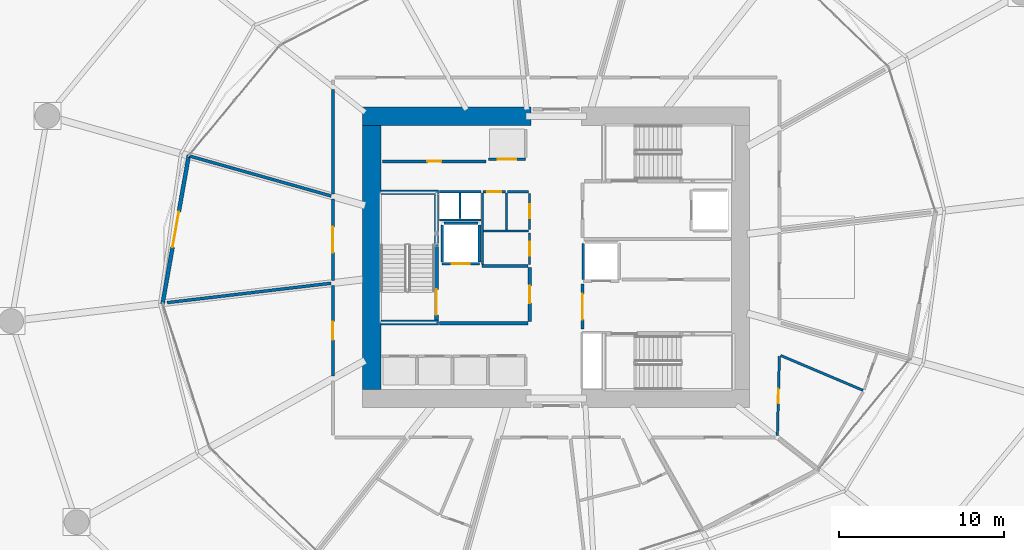
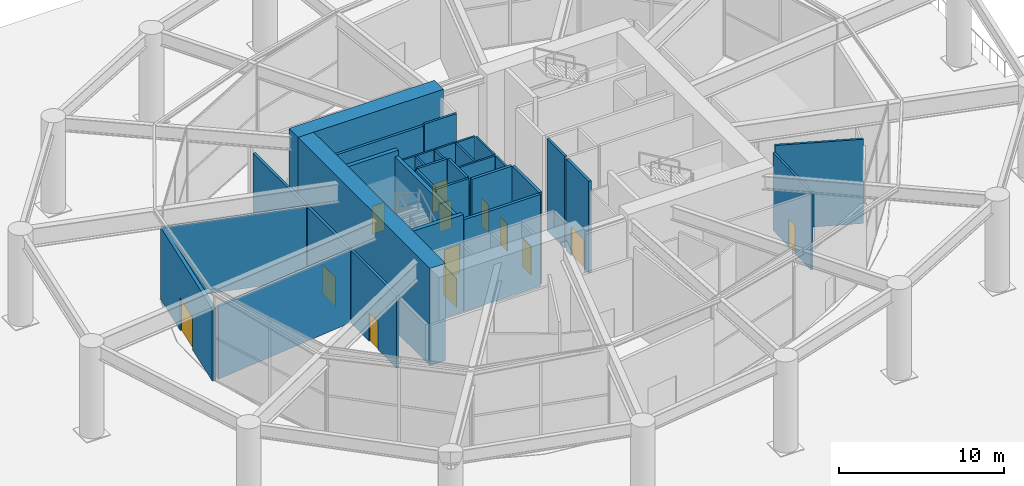
# One storey, part 22 of 28: 34 walls, 13 doors, 13 openings.
"""IFC4 building model written with IfcOpenShell, lengths in metres."""

from ifc_helpers import new_model, si_unit, direction, frame, frame_2d, origin, place, context, subcontext, project, spatial, rectangle, extrude, material, layer, layer_set, type_object, element, fill, save


model = new_model("IFC4")

# Units and contexts
model_context = context("Model", 3, precision=1e-05, world=origin(), true_north=direction((0.0, 1.0)))
body_context = subcontext(model_context, "Body", "Model", "MODEL_VIEW")
ifc_project = project(units=[si_unit("LENGTHUNIT", "METRE"), si_unit("AREAUNIT", "SQUARE_METRE"), si_unit("VOLUMEUNIT", "CUBIC_METRE"), si_unit("PLANEANGLEUNIT", "RADIAN"), si_unit("MASSUNIT", "GRAM", prefix="KILO")], contexts=[model_context])

# Site, building, storey
site_placement = place(None, origin())
site = spatial("IfcSite", under=ifc_project, at=site_placement, CompositionType="ELEMENT")
building_placement = place(site_placement, origin())
building = spatial("IfcBuilding", under=site, at=building_placement, Name="Kazma Halo Residences", CompositionType="ELEMENT")
storey_placement = place(building_placement, origin())
storey = spatial("IfcBuildingStorey", under=building, at=storey_placement, Name="L00", CompositionType="ELEMENT", Elevation=0.0)

# Walls
ifc_material_1 = material(Name="Concrete C80/95", Category="concrete")
ifc_layer_1 = layer(ifc_material_1, 1.10009765625)
ifc_layer_set_1 = layer_set([ifc_layer_1], Name="Concrete C80/95")
wall_type_1 = type_object("IfcWallType", Name="WL-CORE-1100", PredefinedType="SHEAR", material=ifc_layer_set_1)
wall_1_placement = place(storey_placement, frame((36.699951171875, 50.550048828125, 0.0), z_axis=(0.0, 0.0, 1.0), x_axis=(1.0, 0.0, 0.0)))
element("IfcWall", 1, at=wall_1_placement, inside=storey, type_object=wall_type_1, Name="L00 central core shear wall NW", PredefinedType="SHEAR", context=body_context, shape_type="SweptSolid", body=[
    extrude(rectangle(XDim=10.199951171875, YDim=1.10009765625, at=frame_2d((5.10009765625, 0.0))), origin(), (0.0, 0.0, 1.0), 7.199951171875),
])
wall_2_placement = place(storey_placement, frame((37.25, 34.0, 0.0), z_axis=(0.0, 0.0, 1.0), x_axis=(0.0, 1.0, 0.0)))
element("IfcWall", 2, at=wall_2_placement, inside=storey, type_object=wall_type_1, Name="L00 central core shear wall W", PredefinedType="SHEAR", context=body_context, shape_type="SweptSolid", body=[
    extrude(rectangle(XDim=16.0, YDim=1.10009765625, at=frame_2d((8.0, 0.0))), origin(), (0.0, 0.0, 1.0), 7.199951171875),
])
ifc_material_2 = material(Name="Concrete C60/75", Category="concrete")
ifc_layer_2 = layer(ifc_material_2, 0.280029296875)
ifc_layer_set_2 = layer_set([ifc_layer_2], Name="Concrete C60/75")
wall_type_2 = type_object("IfcWallType", Name="WL-CORE-ST-280", PredefinedType="SHEAR", material=ifc_layer_set_2)
for number, where, z_axis, x_axis, name in (
    (3, (37.800048828125, 38.06005859375, 0.0), (0.0, 0.0, 1.0), (1.0, 0.0, 0.0), "L00 stairwell bearing wall ST01-S"),
    (4, (37.800048828125, 45.93994140625, 0.0), (0.0, 0.0, 1.0), (1.0, 0.0, 0.0), "L00 stairwell bearing wall ST01-N"),
):
    element("IfcWall", number, at=place(storey_placement, frame(where, z_axis=z_axis, x_axis=x_axis)), inside=storey, type_object=wall_type_2, Name=name, PredefinedType="SHEAR", context=body_context, shape_type="SweptSolid", body=[
        extrude(rectangle(XDim=3.5, YDim=0.280029296875, at=frame_2d((1.75, 0.0))), origin(), (0.0, 0.0, 1.0), 7.199951171875),
    ])
ifc_material_3 = material(Name="Acoustic Twin-Stud Gypsum")
ifc_layer_3 = layer(ifc_material_3, 0.179931640625)
ifc_layer_set_3 = layer_set([ifc_layer_3], Name="Acoustic Twin-Stud Gypsum")
wall_type_3 = type_object("IfcWallType", Name="WL-DEM-180", PredefinedType="PARTITIONING", material=ifc_layer_set_3)
wall_3_placement = place(storey_placement, frame((34.89990234375, 52.187255859375, 0.0), z_axis=(0.0, 0.0, 1.0), x_axis=(0.0, -1.0, 0.0)))
element("IfcWall", 5, at=wall_3_placement, inside=storey, type_object=wall_type_3, Name="L00 Concierge Hall and Mail Foyer corridor wall", PredefinedType="PARTITIONING", context=body_context, shape_type="SweptSolid", body=[
    extrude(rectangle(XDim=6.3525390625, YDim=0.179931640625, at=frame_2d((3.17626953125, 0.0))), origin(), (0.0, 0.0, 1.0), 5.375),
])
wall_4_placement = place(storey_placement, frame((34.794189453125, 45.724609375, 0.0), z_axis=(0.0, 0.0, 1.0), x_axis=(-0.962463212271, 0.271412168159, 0.0)))
element("IfcWall", 6, at=wall_4_placement, inside=storey, type_object=wall_type_3, Name="L00 radial partition wall 06", PredefinedType="PARTITIONING", context=body_context, shape_type="SweptSolid", body=[
    extrude(rectangle(XDim=8.9404296875, YDim=0.179931640625, at=frame_2d((4.47021484375, 0.0))), origin(), (0.0, 0.0, 1.0), 5.375),
])

# Wall, opening, door
wall_5_placement = place(storey_placement, frame((34.89990234375, 45.5546875, 0.0), z_axis=(0.0, 0.0, 1.0), x_axis=(0.0, -1.0, 0.0)))
wall_5 = element("IfcWall", 7, at=wall_5_placement, inside=storey, type_object=wall_type_3, Name="L00 West Exit Arrival Foyer corridor wall", PredefinedType="PARTITIONING", context=body_context, shape_type="SweptSolid", body=[
    extrude(rectangle(XDim=4.965087890625, YDim=0.179931640625, at=frame_2d((2.482421875, 0.0))), origin(), (0.0, 0.0, 1.0), 5.375),
])
opening_1_placement = place(wall_5_placement, frame((1.70751953125, 0.0, 0.0)))
opening_1 = element("IfcOpeningElement", 8, at=opening_1_placement, cuts=wall_5, Name="Opening DF-1550", PredefinedType="OPENING", context=body_context, shape_type="SweptSolid", body=[
    extrude(rectangle(XDim=1.550048828125, YDim=2.14990234375, at=frame_2d((0.77490234375, 1.074951171875))), frame((0.0, 0.099853515625, 0.0), z_axis=(0.0, -1.0, 0.0), x_axis=(1.0, 0.0, 0.0)), (0.0, 0.0, 1.0), 0.199951171875),
])
ifc_material_4 = material(Name="Fire-Rated Double Steel Leaf", Category="steel")
door_type_1 = type_object("IfcDoorType", Name="DR-FD90-1550", OperationType="NOTDEFINED", PredefinedType="DOOR", material=ifc_material_4)
door_1_placement = place(opening_1_placement, origin())
door_1 = element("IfcDoor", 9, at=door_1_placement, inside=storey, type_object=door_type_1, Name="L00 West Exit Arrival Foyer entrance door", OperationType="DOUBLE_DOOR_SINGLE_SWING", OverallHeight=2.14990234375, OverallWidth=1.550048828125, PredefinedType="DOOR", context=body_context, shape_type="SweptSolid", body=[
    extrude(rectangle(XDim=1.550048828125, YDim=2.14990234375, at=frame_2d((0.77490234375, 1.074951171875))), frame((0.0, 0.02490234375, 0.0), z_axis=(0.0, -1.0, 0.0), x_axis=(1.0, 0.0, 0.0)), (0.0, 0.0, 1.0), 0.050048828125),
])
fill(opening_1, door_1)

# Wall
wall_6_placement = place(storey_placement, frame((34.790771484375, 40.4365234375, 0.0), z_axis=(0.0, 0.0, 1.0), x_axis=(-0.993069036869, -0.117532497689, 0.0)))
element("IfcWall", 10, at=wall_6_placement, inside=storey, type_object=wall_type_3, Name="L00 radial partition wall 07", PredefinedType="PARTITIONING", context=body_context, shape_type="SweptSolid", body=[
    extrude(rectangle(XDim=9.999755859375, YDim=0.179931640625, at=frame_2d((5.0, 0.0))), origin(), (0.0, 0.0, 1.0), 5.375),
])

# Wall, opening, door
wall_7_placement = place(storey_placement, frame((34.89990234375, 40.3095703125, 0.0), z_axis=(0.0, 0.0, 1.0), x_axis=(0.0, -1.0, 0.0)))
wall_7 = element("IfcWall", 11, at=wall_7_placement, inside=storey, type_object=wall_type_3, Name="L00 Residents Cafe Lounge corridor wall", PredefinedType="PARTITIONING", context=body_context, shape_type="SweptSolid", body=[
    extrude(rectangle(XDim=5.505859375, YDim=0.179931640625, at=frame_2d((2.7529296875, 0.0))), origin(), (0.0, 0.0, 1.0), 5.375),
])
opening_2_placement = place(wall_7_placement, frame((2.202880859375, 0.0, 0.0)))
opening_2 = element("IfcOpeningElement", 12, at=opening_2_placement, cuts=wall_7, Name="Opening DA-1100", PredefinedType="OPENING", context=body_context, shape_type="SweptSolid", body=[
    extrude(rectangle(XDim=1.10009765625, YDim=2.10009765625, at=frame_2d((0.550048828125, 1.050048828125))), frame((0.0, 0.099853515625, 0.0), z_axis=(0.0, -1.0, 0.0), x_axis=(1.0, 0.0, 0.0)), (0.0, 0.0, 1.0), 0.199951171875),
])
ifc_material_5 = material(Name="Acoustic Walnut Fire Leaf")
door_type_2 = type_object("IfcDoorType", Name="DR-FD60-1100", OperationType="NOTDEFINED", PredefinedType="DOOR", material=ifc_material_5)
door_2_placement = place(opening_2_placement, origin())
door_2 = element("IfcDoor", 13, at=door_2_placement, inside=storey, type_object=door_type_2, Name="L00 Residents Cafe Lounge entrance door", OperationType="SINGLE_SWING_RIGHT", OverallHeight=2.10009765625, OverallWidth=1.10009765625, PredefinedType="DOOR", context=body_context, shape_type="SweptSolid", body=[
    extrude(rectangle(XDim=1.10009765625, YDim=2.10009765625, at=frame_2d((0.550048828125, 1.050048828125))), frame((0.0, 0.02490234375, 0.0), z_axis=(0.0, -1.0, 0.0), x_axis=(1.0, 0.0, 0.0)), (0.0, 0.0, 1.0), 0.050048828125),
])
fill(opening_2, door_2)

ifc_material_6 = material(Name="Insulated Pale-Metal Composite Wall")
ifc_layer_4 = layer(ifc_material_6, 0.239990234375)
ifc_layer_set_4 = layer_set([ifc_layer_4], Name="Insulated Pale-Metal Composite Wall")
wall_type_4 = type_object("IfcWallType", Name="WL-EXT-HOST-240", PredefinedType="SOLIDWALL", material=ifc_layer_set_4)
wall_8_placement = place(storey_placement, frame((24.57763671875, 39.1796875, 0.0), z_axis=(0.0, 0.0, 1.0), x_axis=(0.174163599579, 0.984716731137, 0.0)))
wall_8 = element("IfcWall", 14, at=wall_8_placement, inside=storey, type_object=wall_type_4, Name="L00 ground entrance enclosure wall 07", PredefinedType="SOLIDWALL", context=body_context, shape_type="SweptSolid", body=[
    extrude(rectangle(XDim=9.167724609375, YDim=0.239990234375, at=frame_2d((4.583984375, 0.0))), origin(), (0.0, 0.0, 1.0), 5.35009765625),
])
opening_3_placement = place(wall_8_placement, frame((3.48388671875, 0.0, 0.0)))
opening_3 = element("IfcOpeningElement", 15, at=opening_3_placement, cuts=wall_8, Name="Opening D-EX-02", PredefinedType="OPENING", context=body_context, shape_type="SweptSolid", body=[
    extrude(rectangle(XDim=2.199951171875, YDim=2.39990234375, at=frame_2d((1.10009765625, 1.199951171875))), frame((0.0, 0.1298828125, 0.0), z_axis=(0.0, -1.0, 0.0), x_axis=(1.0, 0.0, 0.0)), (0.0, 0.0, 1.0), 0.260009765625),
])
ifc_material_7 = material(Name="Aluminium AW-6063 T6 Thermally Broken Glazed Door", Category="aluminium")
door_type_3 = type_object("IfcDoorType", Name="DR-EXT-EXIT-2200", OperationType="NOTDEFINED", PredefinedType="DOOR", material=ifc_material_7)
door_3_placement = place(opening_3_placement, origin())
door_3 = element("IfcDoor", 16, at=door_3_placement, inside=storey, type_object=door_type_3, Name="L00 pedestrian final exit door D-EX-02", OperationType="DOUBLE_DOOR_SINGLE_SWING", OverallHeight=2.39990234375, OverallWidth=2.199951171875, PredefinedType="DOOR", context=body_context, shape_type="SweptSolid", body=[
    extrude(rectangle(XDim=2.199951171875, YDim=2.39990234375, at=frame_2d((1.10009765625, 1.199951171875))), frame((0.0, 0.02490234375, 0.0), z_axis=(0.0, -1.0, 0.0), x_axis=(1.0, 0.0, 0.0)), (0.0, 0.0, 1.0), 0.050048828125),
])
fill(opening_3, door_3)

ifc_material_8 = material(Name="Fire-Rated Blockwork Masonry", Category="masonry")
ifc_layer_5 = layer(ifc_material_8, 0.199951171875)
ifc_layer_set_5 = layer_set([ifc_layer_5], Name="Fire-Rated Blockwork Masonry")
wall_type_5 = type_object("IfcWallType", Name="WL-FLB-200", PredefinedType="PARTITIONING", material=ifc_layer_set_5)
wall_9_placement = place(storey_placement, frame((46.580078125, 47.945068359375, 0.0), z_axis=(0.0, 0.0, 1.0), x_axis=(-1.0, 0.0, 0.0)))
wall_9 = element("IfcWall", 17, at=wall_9_placement, inside=storey, type_object=wall_type_5, Name="L00 lift shaft PX-01 front wall", PredefinedType="PARTITIONING", context=body_context, shape_type="SweptSolid", body=[
    extrude(rectangle(XDim=2.260009765625, YDim=0.159912109375, at=frame_2d((1.1298828125, 0.0))), origin(), (0.0, 0.0, 1.0), 6.800048828125),
])
opening_4_placement = place(wall_9_placement, frame((0.580078125, 0.0, 0.0)))
opening_4 = element("IfcOpeningElement", 18, at=opening_4_placement, cuts=wall_9, Name="Opening LD-PX-01", PredefinedType="OPENING", context=body_context, shape_type="SweptSolid", body=[
    extrude(rectangle(XDim=1.10009765625, YDim=2.10009765625, at=frame_2d((0.550048828125, 1.050048828125))), frame((0.0, 0.08984375, 0.0), z_axis=(0.0, -1.0, 0.0), x_axis=(1.0, 0.0, 0.0)), (0.0, 0.0, 1.0), 0.179931640625),
])
ifc_material_9 = material(Name="Stainless Steel Fire-Rated", Category="steel")
door_type_4 = type_object("IfcDoorType", Name="DR-LIFT-SLD-1100", OperationType="DOUBLE_DOOR_SLIDING", PredefinedType="DOOR", material=ifc_material_9)
door_4_placement = place(opening_4_placement, origin())
door_4 = element("IfcDoor", 19, at=door_4_placement, inside=storey, type_object=door_type_4, Name="L00 lift PX-01 sliding landing door", OperationType="DOUBLE_DOOR_SLIDING", OverallHeight=2.10009765625, OverallWidth=1.10009765625, PredefinedType="DOOR", context=body_context, shape_type="SweptSolid", body=[
    extrude(rectangle(XDim=1.10009765625, YDim=2.10009765625, at=frame_2d((0.550048828125, 1.050048828125))), frame((0.0, 0.02490234375, 0.0), z_axis=(0.0, -1.0, 0.0), x_axis=(1.0, 0.0, 0.0)), (0.0, 0.0, 1.0), 0.050048828125),
])
fill(opening_4, door_4)

wall_10_placement = place(storey_placement, frame((43.780029296875, 41.6201171875, 0.0), z_axis=(0.0, 0.0, 1.0), x_axis=(-1.0, 0.0, 0.0)))
wall_10 = element("IfcWall", 20, at=wall_10_placement, inside=storey, type_object=wall_type_5, Name="L00 lift shaft FL-01 front wall", PredefinedType="PARTITIONING", context=body_context, shape_type="SweptSolid", body=[
    extrude(rectangle(XDim=2.260009765625, YDim=0.159912109375, at=frame_2d((1.1298828125, 0.0))), origin(), (0.0, 0.0, 1.0), 6.800048828125),
])
opening_5_placement = place(wall_10_placement, frame((0.580078125, 0.0, 0.0)))
opening_5 = element("IfcOpeningElement", 21, at=opening_5_placement, cuts=wall_10, Name="Opening LD-FL-01", PredefinedType="OPENING", context=body_context, shape_type="SweptSolid", body=[
    extrude(rectangle(XDim=1.10009765625, YDim=2.10009765625, at=frame_2d((0.550048828125, 1.050048828125))), frame((0.0, 0.08984375, 0.0), z_axis=(0.0, -1.0, 0.0), x_axis=(1.0, 0.0, 0.0)), (0.0, 0.0, 1.0), 0.179931640625),
])
door_5_placement = place(opening_5_placement, origin())
door_5 = element("IfcDoor", 22, at=door_5_placement, inside=storey, type_object=door_type_4, Name="L00 lift FL-01 sliding landing door", OperationType="DOUBLE_DOOR_SLIDING", OverallHeight=2.10009765625, OverallWidth=1.10009765625, PredefinedType="DOOR", context=body_context, shape_type="SweptSolid", body=[
    extrude(rectangle(XDim=1.10009765625, YDim=2.10009765625, at=frame_2d((0.550048828125, 1.050048828125))), frame((0.0, 0.02490234375, 0.0), z_axis=(0.0, -1.0, 0.0), x_axis=(1.0, 0.0, 0.0)), (0.0, 0.0, 1.0), 0.050048828125),
])
fill(opening_5, door_5)

# Walls
for number, where, z_axis, x_axis, name in (
    (23, (43.780029296875, 41.719970703125, 0.0), (0.0, 0.0, 1.0), (0.0, 1.0, 0.0), "L00 lift shaft FL-01 side wall E"),
    (24, (41.52001953125, 41.719970703125, 0.0), (0.0, 0.0, 1.0), (0.0, 1.0, 0.0), "L00 lift shaft FL-01 side wall W"),
):
    element("IfcWall", number, at=place(storey_placement, frame(where, z_axis=z_axis, x_axis=x_axis)), inside=storey, type_object=wall_type_5, Name=name, PredefinedType="PARTITIONING", context=body_context, shape_type="SweptSolid", body=[
        extrude(rectangle(XDim=2.260009765625, YDim=0.159912109375, at=frame_2d((1.1298828125, 0.0))), origin(), (0.0, 0.0, 1.0), 6.800048828125),
    ])
wall_11_placement = place(storey_placement, frame((41.6201171875, 44.080078125, 0.0), z_axis=(0.0, 0.0, 1.0), x_axis=(1.0, 0.0, 0.0)))
element("IfcWall", 25, at=wall_11_placement, inside=storey, type_object=wall_type_5, Name="L00 lift shaft FL-01 side wall N", PredefinedType="PARTITIONING", context=body_context, shape_type="SweptSolid", body=[
    extrude(rectangle(XDim=2.059814453125, YDim=0.159912109375, at=frame_2d((1.02978515625, 0.0))), origin(), (0.0, 0.0, 1.0), 6.800048828125),
])
wall_12_placement = place(storey_placement, frame((50.070068359375, 40.669921875, 0.0), z_axis=(0.0, 0.0, 1.0), x_axis=(0.0, 1.0, 0.0)))
element("IfcWall", 26, at=wall_12_placement, inside=storey, type_object=wall_type_5, Name="L00 lift shaft SV-01 side wall W", PredefinedType="PARTITIONING", context=body_context, shape_type="SweptSolid", body=[
    extrude(rectangle(XDim=2.16015625, YDim=0.159912109375, at=frame_2d((1.080078125, 0.0))), origin(), (0.0, 0.0, 1.0), 6.800048828125),
])

# Wall, opening, door
wall_13_placement = place(storey_placement, frame((37.919921875, 47.820068359375, 0.0), z_axis=(0.0, 0.0, 1.0), x_axis=(1.0, 0.0, 0.0)))
wall_13 = element("IfcWall", 27, at=wall_13_placement, inside=storey, type_object=wall_type_5, Name="L00 core north reserve wall", PredefinedType="PARTITIONING", context=body_context, shape_type="SweptSolid", body=[
    extrude(rectangle(XDim=6.260009765625, YDim=0.179931640625, at=frame_2d((3.1298828125, 0.0))), origin(), (0.0, 0.0, 1.0), 6.800048828125),
])
opening_6_placement = place(wall_13_placement, frame((2.705078125, 0.0, 0.0)))
opening_6 = element("IfcOpeningElement", 28, at=opening_6_placement, cuts=wall_13, Name="Opening DS-850", PredefinedType="OPENING", context=body_context, shape_type="SweptSolid", body=[
    extrude(rectangle(XDim=0.85009765625, YDim=2.06005859375, at=frame_2d((0.425048828125, 1.030029296875))), frame((0.0, 0.099853515625, 0.0), z_axis=(0.0, -1.0, 0.0), x_axis=(1.0, 0.0, 0.0)), (0.0, 0.0, 1.0), 0.199951171875),
])
ifc_material_10 = material(Name="Painted Steel Access Leaf", Category="steel")
door_type_5 = type_object("IfcDoorType", Name="DR-SVC-850", OperationType="NOTDEFINED", PredefinedType="DOOR", material=ifc_material_10)
door_6_placement = place(opening_6_placement, origin())
door_6 = element("IfcDoor", 29, at=door_6_placement, inside=storey, type_object=door_type_5, Name="L00 core north reserve door", OperationType="SINGLE_SWING_RIGHT", OverallHeight=2.06005859375, OverallWidth=0.85009765625, PredefinedType="DOOR", context=body_context, shape_type="SweptSolid", body=[
    extrude(rectangle(XDim=0.85009765625, YDim=2.06005859375, at=frame_2d((0.425048828125, 1.030029296875))), frame((0.0, 0.02490234375, 0.0), z_axis=(0.0, -1.0, 0.0), x_axis=(1.0, 0.0, 0.0)), (0.0, 0.0, 1.0), 0.050048828125),
])
fill(opening_6, door_6)

wall_14_placement = place(storey_placement, frame((50.02001953125, 37.64990234375, 0.0), z_axis=(0.0, 0.0, 1.0), x_axis=(0.0, 1.0, 0.0)))
wall_14 = element("IfcWall", 30, at=wall_14_placement, inside=storey, type_object=wall_type_5, Name="L00 east stair exit lobby smoke wall", PredefinedType="PARTITIONING", context=body_context, shape_type="SweptSolid", body=[
    extrude(rectangle(XDim=2.72998046875, YDim=0.199951171875, at=frame_2d((1.364990234375, 0.0))), origin(), (0.0, 0.0, 1.0), 6.800048828125),
])
opening_7_placement = place(wall_14_placement, frame((0.590087890625, 0.0, 0.0)))
opening_7 = element("IfcOpeningElement", 31, at=opening_7_placement, cuts=wall_14, Name="Opening DF-1550", PredefinedType="OPENING", context=body_context, shape_type="SweptSolid", body=[
    extrude(rectangle(XDim=1.550048828125, YDim=2.14990234375, at=frame_2d((0.77490234375, 1.074951171875))), frame((0.0, 0.10986328125, 0.0), z_axis=(0.0, -1.0, 0.0), x_axis=(1.0, 0.0, 0.0)), (0.0, 0.0, 1.0), 0.219970703125),
])
door_7_placement = place(opening_7_placement, origin())
door_7 = element("IfcDoor", 32, at=door_7_placement, inside=storey, type_object=door_type_1, Name="L00 east stair exit lobby smoke door", OperationType="DOUBLE_DOOR_SINGLE_SWING", OverallHeight=2.14990234375, OverallWidth=1.550048828125, PredefinedType="DOOR", context=body_context, shape_type="SweptSolid", body=[
    extrude(rectangle(XDim=1.550048828125, YDim=2.14990234375, at=frame_2d((0.77490234375, 1.074951171875))), frame((0.0, 0.02490234375, 0.0), z_axis=(0.0, -1.0, 0.0), x_axis=(1.0, 0.0, 0.0)), (0.0, 0.0, 1.0), 0.050048828125),
])
fill(opening_7, door_7)

# Walls
wall_15_placement = place(storey_placement, frame((41.35009765625, 38.02001953125, 0.0), z_axis=(0.0, 0.0, 1.0), x_axis=(1.0, 0.0, 0.0)))
element("IfcWall", 33, at=wall_15_placement, inside=storey, type_object=wall_type_5, Name="L00 west firefighting lobby south smoke wall", PredefinedType="PARTITIONING", context=body_context, shape_type="SweptSolid", body=[
    extrude(rectangle(XDim=5.369873046875, YDim=0.199951171875, at=frame_2d((2.68505859375, 0.0))), origin(), (0.0, 0.0, 1.0), 6.800048828125),
])
wall_16_placement = place(storey_placement, frame((43.919921875, 41.47998046875, 0.0), z_axis=(0.0, 0.0, 1.0), x_axis=(1.0, 0.0, 0.0)))
element("IfcWall", 34, at=wall_16_placement, inside=storey, type_object=wall_type_5, Name="L00 west firefighting lobby north smoke wall", PredefinedType="PARTITIONING", context=body_context, shape_type="SweptSolid", body=[
    extrude(rectangle(XDim=2.800048828125, YDim=0.199951171875, at=frame_2d((1.39990234375, 0.0))), origin(), (0.0, 0.0, 1.0), 6.800048828125),
])

# Wall, opening, door
wall_17_placement = place(storey_placement, frame((46.820068359375, 38.1201171875, 0.0), z_axis=(0.0, 0.0, 1.0), x_axis=(0.0, 1.0, 0.0)))
wall_17 = element("IfcWall", 35, at=wall_17_placement, inside=storey, type_object=wall_type_5, Name="L00 west firefighting lobby smoke wall", PredefinedType="PARTITIONING", context=body_context, shape_type="SweptSolid", body=[
    extrude(rectangle(XDim=3.259765625, YDim=0.199951171875, at=frame_2d((1.6298828125, 0.0))), origin(), (0.0, 0.0, 1.0), 6.800048828125),
])
opening_8_placement = place(wall_17_placement, frame((1.10498046875, 0.0, 0.0)))
opening_8 = element("IfcOpeningElement", 36, at=opening_8_placement, cuts=wall_17, Name="Opening D-FLW", PredefinedType="OPENING", context=body_context, shape_type="SweptSolid", body=[
    extrude(rectangle(XDim=1.050048828125, YDim=2.10009765625, at=frame_2d((0.52490234375, 1.050048828125))), frame((0.0, 0.10986328125, 0.0), z_axis=(0.0, -1.0, 0.0), x_axis=(1.0, 0.0, 0.0)), (0.0, 0.0, 1.0), 0.219970703125),
])
ifc_material_11 = material(Name="Fire-Rated Steel Leaf", Category="steel")
door_type_6 = type_object("IfcDoorType", Name="DR-FD90-1050", OperationType="NOTDEFINED", PredefinedType="DOOR", material=ifc_material_11)
door_8_placement = place(opening_8_placement, origin())
door_8 = element("IfcDoor", 37, at=door_8_placement, inside=storey, type_object=door_type_6, Name="L00 west firefighting lobby smoke door", OperationType="SINGLE_SWING_LEFT", OverallHeight=2.10009765625, OverallWidth=1.050048828125, PredefinedType="DOOR", context=body_context, shape_type="SweptSolid", body=[
    extrude(rectangle(XDim=1.050048828125, YDim=2.10009765625, at=frame_2d((0.52490234375, 1.050048828125))), frame((0.0, 0.02490234375, 0.0), z_axis=(0.0, -1.0, 0.0), x_axis=(1.0, 0.0, 0.0)), (0.0, 0.0, 1.0), 0.050048828125),
])
fill(opening_8, door_8)

# Walls
ifc_material_12 = material(Name="Gypsum Plasterboard Partition")
ifc_layer_6 = layer(ifc_material_12, 0.125)
ifc_layer_set_6 = layer_set([ifc_layer_6], Name="Gypsum Plasterboard Partition")
wall_type_6 = type_object("IfcWallType", Name="WL-PART-125", PredefinedType="PARTITIONING", material=ifc_layer_set_6)
wall_18_placement = place(storey_placement, frame((41.360107421875, 44.260009765625, 0.0), z_axis=(0.0, 0.0, 1.0), x_axis=(1.0, 0.0, 0.0)))
element("IfcWall", 38, at=wall_18_placement, inside=storey, type_object=wall_type_6, Name="L00 core riser south wall", PredefinedType="PARTITIONING", context=body_context, shape_type="SweptSolid", body=[
    extrude(rectangle(XDim=2.5, YDim=0.125, at=frame_2d((1.25, 0.0))), origin(), (0.0, 0.0, 1.0), 6.239990234375),
])
wall_19_placement = place(storey_placement, frame((42.60009765625, 44.35009765625, 0.0), z_axis=(0.0, 0.0, 1.0), x_axis=(0.0, 1.0, 0.0)))
element("IfcWall", 39, at=wall_19_placement, inside=storey, type_object=wall_type_6, Name="L00 core riser divider wall", PredefinedType="PARTITIONING", context=body_context, shape_type="SweptSolid", body=[
    extrude(rectangle(XDim=1.5498046875, YDim=0.125, at=frame_2d((0.77490234375, 0.0))), origin(), (0.0, 0.0, 1.0), 6.239990234375),
])
wall_20_placement = place(storey_placement, frame((43.949951171875, 41.580078125, 0.0), z_axis=(0.0, 0.0, 1.0), x_axis=(0.0, 1.0, 0.0)))
element("IfcWall", 40, at=wall_20_placement, inside=storey, type_object=wall_type_6, Name="L00 core service west wall", PredefinedType="PARTITIONING", context=body_context, shape_type="SweptSolid", body=[
    extrude(rectangle(XDim=4.31982421875, YDim=0.125, at=frame_2d((2.159912109375, 0.0))), origin(), (0.0, 0.0, 1.0), 6.239990234375),
])
wall_21_placement = place(storey_placement, frame((44.030029296875, 43.590087890625, 0.0), z_axis=(0.0, 0.0, 1.0), x_axis=(1.0, 0.0, 0.0)))
element("IfcWall", 41, at=wall_21_placement, inside=storey, type_object=wall_type_6, Name="L00 core service horiz divider", PredefinedType="PARTITIONING", context=body_context, shape_type="SweptSolid", body=[
    extrude(rectangle(XDim=2.7099609375, YDim=0.125, at=frame_2d((1.35498046875, 0.0))), origin(), (0.0, 0.0, 1.0), 6.239990234375),
])
wall_22_placement = place(storey_placement, frame((45.409912109375, 43.669921875, 0.0), z_axis=(0.0, 0.0, 1.0), x_axis=(0.0, 1.0, 0.0)))
element("IfcWall", 42, at=wall_22_placement, inside=storey, type_object=wall_type_6, Name="L00 core service vert divider", PredefinedType="PARTITIONING", context=body_context, shape_type="SweptSolid", body=[
    extrude(rectangle(XDim=2.22998046875, YDim=0.125, at=frame_2d((1.114990234375, 0.0))), origin(), (0.0, 0.0, 1.0), 6.239990234375),
])

# Wall, opening, door
wall_23_placement = place(storey_placement, frame((46.820068359375, 41.580078125, 0.0), z_axis=(0.0, 0.0, 1.0), x_axis=(0.0, 1.0, 0.0)))
wall_23 = element("IfcWall", 43, at=wall_23_placement, inside=storey, type_object=wall_type_6, Name="L00 refuse room east wall", PredefinedType="PARTITIONING", context=body_context, shape_type="SweptSolid", body=[
    extrude(rectangle(XDim=1.909912109375, YDim=0.125, at=frame_2d((0.955078125, 0.0))), origin(), (0.0, 0.0, 1.0), 6.239990234375),
])
opening_9_placement = place(wall_23_placement, frame((0.530029296875, 0.0, 0.0)))
opening_9 = element("IfcOpeningElement", 44, at=opening_9_placement, cuts=wall_23, Name="Opening DS-850", PredefinedType="OPENING", context=body_context, shape_type="SweptSolid", body=[
    extrude(rectangle(XDim=0.85009765625, YDim=2.06005859375, at=frame_2d((0.425048828125, 1.030029296875))), frame((0.0, 0.072509765625, 0.0), z_axis=(0.0, -1.0, 0.0), x_axis=(1.0, 0.0, 0.0)), (0.0, 0.0, 1.0), 0.14501953125),
])
door_9_placement = place(opening_9_placement, origin())
door_9 = element("IfcDoor", 45, at=door_9_placement, inside=storey, type_object=door_type_5, Name="L00 refuse room door", OperationType="SINGLE_SWING_LEFT", OverallHeight=2.06005859375, OverallWidth=0.85009765625, PredefinedType="DOOR", context=body_context, shape_type="SweptSolid", body=[
    extrude(rectangle(XDim=0.85009765625, YDim=2.06005859375, at=frame_2d((0.425048828125, 1.030029296875))), frame((0.0, 0.02490234375, 0.0), z_axis=(0.0, -1.0, 0.0), x_axis=(1.0, 0.0, 0.0)), (0.0, 0.0, 1.0), 0.050048828125),
])
fill(opening_9, door_9)

wall_24_placement = place(storey_placement, frame((46.820068359375, 43.68994140625, 0.0), z_axis=(0.0, 0.0, 1.0), x_axis=(0.0, 1.0, 0.0)))
wall_24 = element("IfcWall", 46, at=wall_24_placement, inside=storey, type_object=wall_type_6, Name="L00 sub-metering east wall", PredefinedType="PARTITIONING", context=body_context, shape_type="SweptSolid", body=[
    extrude(rectangle(XDim=2.18994140625, YDim=0.125, at=frame_2d((1.094970703125, 0.0))), origin(), (0.0, 0.0, 1.0), 6.239990234375),
])
opening_10_placement = place(wall_24_placement, frame((0.669921875, 0.0, 0.0)))
opening_10 = element("IfcOpeningElement", 47, at=opening_10_placement, cuts=wall_24, Name="Opening DS-850", PredefinedType="OPENING", context=body_context, shape_type="SweptSolid", body=[
    extrude(rectangle(XDim=0.85009765625, YDim=2.06005859375, at=frame_2d((0.425048828125, 1.030029296875))), frame((0.0, 0.072509765625, 0.0), z_axis=(0.0, -1.0, 0.0), x_axis=(1.0, 0.0, 0.0)), (0.0, 0.0, 1.0), 0.14501953125),
])
door_10_placement = place(opening_10_placement, origin())
door_10 = element("IfcDoor", 48, at=door_10_placement, inside=storey, type_object=door_type_5, Name="L00 sub-metering door", OperationType="SINGLE_SWING_RIGHT", OverallHeight=2.06005859375, OverallWidth=0.85009765625, PredefinedType="DOOR", context=body_context, shape_type="SweptSolid", body=[
    extrude(rectangle(XDim=0.85009765625, YDim=2.06005859375, at=frame_2d((0.425048828125, 1.030029296875))), frame((0.0, 0.02490234375, 0.0), z_axis=(0.0, -1.0, 0.0), x_axis=(1.0, 0.0, 0.0)), (0.0, 0.0, 1.0), 0.050048828125),
])
fill(opening_10, door_10)

# Wall
wall_25_placement = place(storey_placement, frame((41.35009765625, 45.97998046875, 0.0), z_axis=(0.0, 0.0, 1.0), x_axis=(1.0, 0.0, 0.0)))
element("IfcWall", 49, at=wall_25_placement, inside=storey, type_object=wall_type_6, Name="L00 core riser NW wall", PredefinedType="PARTITIONING", context=body_context, shape_type="SweptSolid", body=[
    extrude(rectangle(XDim=2.52978515625, YDim=0.125, at=frame_2d((1.264892578125, 0.0))), origin(), (0.0, 0.0, 1.0), 6.239990234375),
])

# Wall, opening, door
wall_26_placement = place(storey_placement, frame((43.989990234375, 45.97998046875, 0.0), z_axis=(0.0, 0.0, 1.0), x_axis=(1.0, 0.0, 0.0)))
wall_26 = element("IfcWall", 50, at=wall_26_placement, inside=storey, type_object=wall_type_6, Name="L00 cleaners cupboard north wall", PredefinedType="PARTITIONING", context=body_context, shape_type="SweptSolid", body=[
    extrude(rectangle(XDim=1.380126953125, YDim=0.125, at=frame_2d((0.68994140625, 0.0))), origin(), (0.0, 0.0, 1.0), 6.239990234375),
])
opening_11_placement = place(wall_26_placement, frame((0.264892578125, 0.0, 0.0)))
opening_11 = element("IfcOpeningElement", 51, at=opening_11_placement, cuts=wall_26, Name="Opening DS-850", PredefinedType="OPENING", context=body_context, shape_type="SweptSolid", body=[
    extrude(rectangle(XDim=0.85009765625, YDim=2.06005859375, at=frame_2d((0.425048828125, 1.030029296875))), frame((0.0, 0.072509765625, 0.0), z_axis=(0.0, -1.0, 0.0), x_axis=(1.0, 0.0, 0.0)), (0.0, 0.0, 1.0), 0.14501953125),
])
door_11_placement = place(opening_11_placement, origin())
door_11 = element("IfcDoor", 52, at=door_11_placement, inside=storey, type_object=door_type_5, Name="L00 cleaners cupboard door", OperationType="SINGLE_SWING_LEFT", OverallHeight=2.06005859375, OverallWidth=0.85009765625, PredefinedType="DOOR", context=body_context, shape_type="SweptSolid", body=[
    extrude(rectangle(XDim=0.85009765625, YDim=2.06005859375, at=frame_2d((0.425048828125, 1.030029296875))), frame((0.0, 0.02490234375, 0.0), z_axis=(0.0, -1.0, 0.0), x_axis=(1.0, 0.0, 0.0)), (0.0, 0.0, 1.0), 0.050048828125),
])
fill(opening_11, door_11)

# Wall
wall_27_placement = place(storey_placement, frame((45.47998046875, 45.97998046875, 0.0), z_axis=(0.0, 0.0, 1.0), x_axis=(1.0, 0.0, 0.0)))
element("IfcWall", 53, at=wall_27_placement, inside=storey, type_object=wall_type_6, Name="L00 sub-metering north wall", PredefinedType="PARTITIONING", context=body_context, shape_type="SweptSolid", body=[
    extrude(rectangle(XDim=1.260009765625, YDim=0.125, at=frame_2d((0.6298828125, 0.0))), origin(), (0.0, 0.0, 1.0), 6.239990234375),
])

# Wall, opening, door
ifc_material_13 = material(Name="Concrete C50/60", Category="concrete")
ifc_layer_7 = layer(ifc_material_13, 0.25)
ifc_layer_set_7 = layer_set([ifc_layer_7], Name="Concrete C50/60")
wall_type_7 = type_object("IfcWallType", Name="WL-SHF-250", PredefinedType="SOLIDWALL", material=ifc_layer_set_7)
wall_28_placement = place(storey_placement, frame((41.179931640625, 38.219970703125, 0.0), z_axis=(0.0, 0.0, 1.0), x_axis=(0.0, 1.0, 0.0)))
wall_28 = element("IfcWall", 54, at=wall_28_placement, inside=storey, type_object=wall_type_7, Name="L00 exit stair ST-01 enclosure wall", PredefinedType="SOLIDWALL", context=body_context, shape_type="SweptSolid", body=[
    extrude(rectangle(XDim=7.56005859375, YDim=0.25, at=frame_2d((3.780029296875, 0.0))), origin(), (0.0, 0.0, 1.0), 6.800048828125),
])
opening_12_placement = place(wall_28_placement, frame((0.300048828125, 0.0, 0.0)))
opening_12 = element("IfcOpeningElement", 55, at=opening_12_placement, cuts=wall_28, Name="Opening D-ST1", PredefinedType="OPENING", context=body_context, shape_type="SweptSolid", body=[
    extrude(rectangle(XDim=1.550048828125, YDim=2.14990234375, at=frame_2d((0.77490234375, 1.074951171875))), frame((0.0, 0.135009765625, 0.0), z_axis=(0.0, -1.0, 0.0), x_axis=(1.0, 0.0, 0.0)), (0.0, 0.0, 1.0), 0.27001953125),
])
door_12_placement = place(opening_12_placement, origin())
door_12 = element("IfcDoor", 56, at=door_12_placement, inside=storey, type_object=door_type_1, Name="L00 exit stair ST-01 fire door", OperationType="DOUBLE_DOOR_SINGLE_SWING", OverallHeight=2.14990234375, OverallWidth=1.550048828125, PredefinedType="DOOR", context=body_context, shape_type="SweptSolid", body=[
    extrude(rectangle(XDim=1.550048828125, YDim=2.14990234375, at=frame_2d((0.77490234375, 1.074951171875))), frame((0.0, 0.02490234375, 0.0), z_axis=(0.0, -1.0, 0.0), x_axis=(1.0, 0.0, 0.0)), (0.0, 0.0, 1.0), 0.050048828125),
])
fill(opening_12, door_12)

ifc_material_14 = material(Name="Moisture-Resistant Gypsum")
ifc_layer_8 = layer(ifc_material_14, 0.14990234375)
ifc_layer_set_8 = layer_set([ifc_layer_8], Name="Moisture-Resistant Gypsum")
wall_type_8 = type_object("IfcWallType", Name="WL-WET-150", PredefinedType="PARTITIONING", material=ifc_layer_set_8)
wall_29_placement = place(storey_placement, frame((61.8291015625, 31.199951171875, 0.0), z_axis=(0.0, 0.0, 1.0), x_axis=(0.024695722425, 0.999695014139, 0.0)))
wall_29 = element("IfcWall", 57, at=wall_29_placement, inside=storey, type_object=wall_type_8, Name="L00 Ground Public Female WC corridor wall", PredefinedType="PARTITIONING", context=body_context, shape_type="SweptSolid", body=[
    extrude(rectangle(XDim=4.814453125, YDim=0.14990234375, at=frame_2d((2.4072265625, 0.0))), origin(), (0.0, 0.0, 1.0), 5.757080078125),
])
opening_13_placement = place(wall_29_placement, frame((1.982177734375, 0.0, 0.0)))
opening_13 = element("IfcOpeningElement", 58, at=opening_13_placement, cuts=wall_29, Name="Opening DB-900", PredefinedType="OPENING", context=body_context, shape_type="SweptSolid", body=[
    extrude(rectangle(XDim=0.85009765625, YDim=2.06005859375, at=frame_2d((0.425048828125, 1.030029296875))), frame((0.0, 0.0849609375, 0.0), z_axis=(0.0, -1.0, 0.0), x_axis=(1.0, 0.0, 0.0)), (0.0, 0.0, 1.0), 0.169921875),
])
ifc_material_15 = material(Name="Moisture-Sealed Timber Leaf", Category="wood")
door_type_7 = type_object("IfcDoorType", Name="DR-BTH-900", OperationType="NOTDEFINED", PredefinedType="DOOR", material=ifc_material_15)
door_13_placement = place(opening_13_placement, origin())
door_13 = element("IfcDoor", 59, at=door_13_placement, inside=storey, type_object=door_type_7, Name="L00 Ground Public Female WC door", OperationType="SINGLE_SWING_LEFT", OverallHeight=2.06005859375, OverallWidth=0.85009765625, PredefinedType="DOOR", context=body_context, shape_type="SweptSolid", body=[
    extrude(rectangle(XDim=0.85009765625, YDim=2.06005859375, at=frame_2d((0.425048828125, 1.030029296875))), frame((0.0, 0.02490234375, 0.0), z_axis=(0.0, -1.0, 0.0), x_axis=(1.0, 0.0, 0.0)), (0.0, 0.0, 1.0), 0.050048828125),
])
fill(opening_13, door_13)

# Wall
wall_30_placement = place(storey_placement, frame((62.023681640625, 36.061767578125, 0.0), z_axis=(0.0, 0.0, 1.0), x_axis=(0.920852129173, -0.389911985193, 0.0)))
element("IfcWall", 60, at=wall_30_placement, inside=storey, type_object=wall_type_8, Name="L00 Ground Public Female WC side wall", PredefinedType="PARTITIONING", context=body_context, shape_type="SweptSolid", body=[
    extrude(rectangle(XDim=5.416748046875, YDim=0.14990234375, at=frame_2d((2.70849609375, 0.0))), origin(), (0.0, 0.0, 1.0), 6.239990234375),
])

save(model, "model.ifc")
